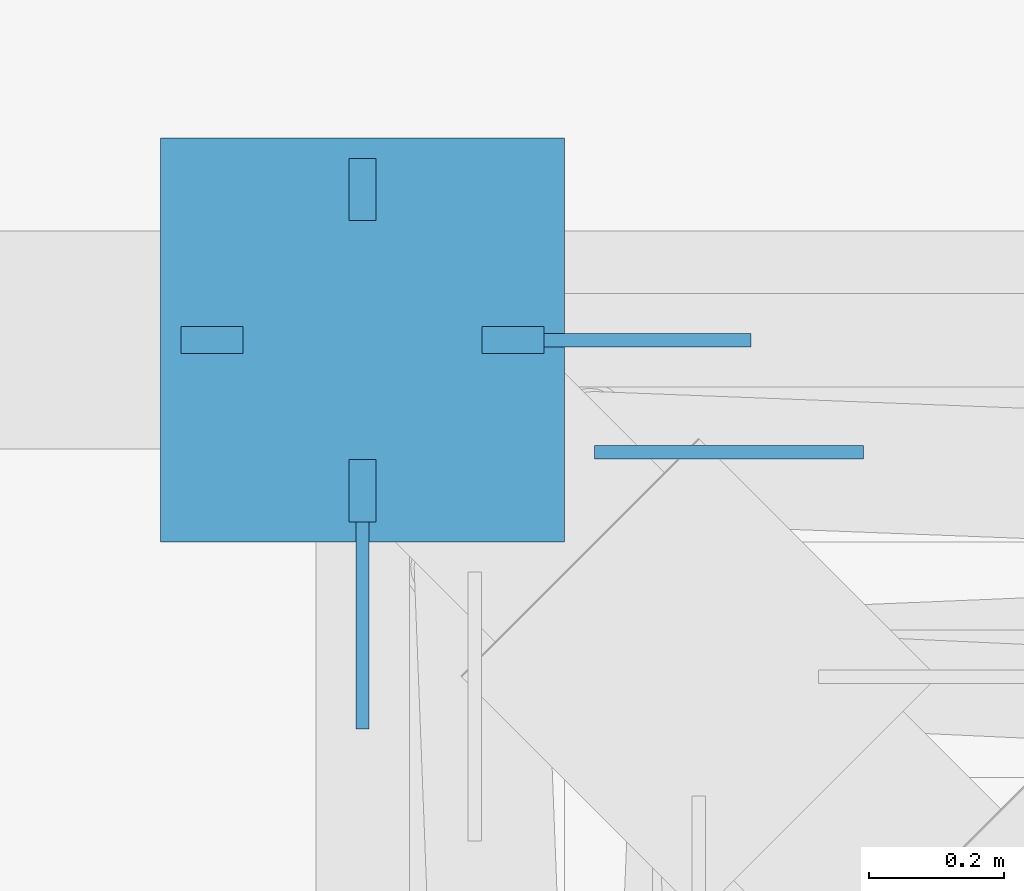
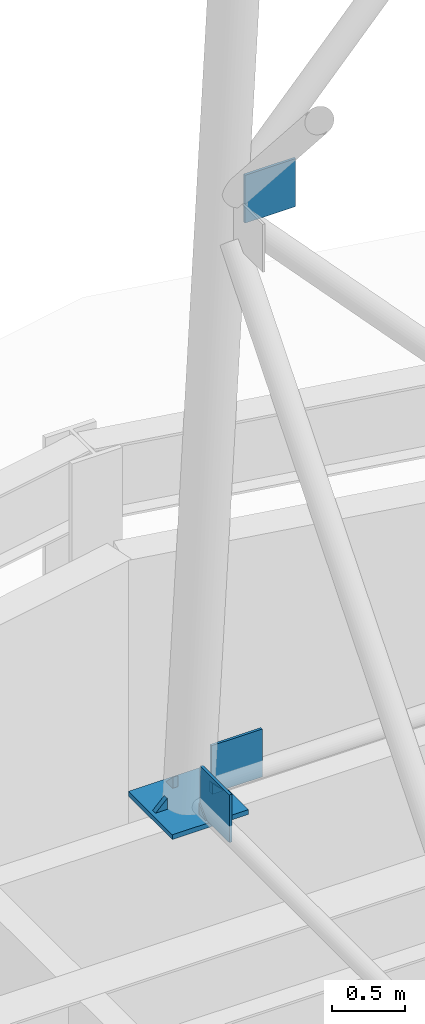
# One storey, part 11 of 15: 8 discrete accessories.
"""IFC4 building model written with IfcOpenShell, lengths in metres."""

from ifc_helpers import new_model, si_unit, direction, frame, origin, origin_2d, place, context, subcontext, project, spatial, polyline, rectangle, outline, extrude, material, layer, layer_set, material_profile, profile_set, type_object, element, save


model = new_model("IFC4")

# Units and contexts
model_context = context("Model", 3, precision=1e-05, world=origin(), true_north=direction((0.0, 1.0)))
body_context = subcontext(model_context, "Body", "Model", "MODEL_VIEW")
ifc_project = project(units=[si_unit("LENGTHUNIT", "METRE"), si_unit("AREAUNIT", "SQUARE_METRE"), si_unit("VOLUMEUNIT", "CUBIC_METRE"), si_unit("PLANEANGLEUNIT", "RADIAN"), si_unit("MASSUNIT", "GRAM", prefix="KILO")], contexts=[model_context])

# Site, building, storey
site_placement = place(None, origin())
site = spatial("IfcSite", under=ifc_project, at=site_placement, CompositionType="ELEMENT")
building_placement = place(site_placement, origin())
building = spatial("IfcBuilding", under=site, at=building_placement, Name="Immortelle Media Tower", CompositionType="ELEMENT")
storey_placement = place(building_placement, frame((0.0, 0.0, 308.0)))
storey = spatial("IfcBuildingStorey", under=building, at=storey_placement, Name="Roof", CompositionType="ELEMENT", Elevation=308.0)

# Discrete accessories
ifc_material_1 = material(Name="Structural steel S355J2 plate", Category="steel")
ifc_layer = layer(ifc_material_1, 0.0400390625)
ifc_layer_set = layer_set([ifc_layer], Name="Structural steel S355J2 plate")
discrete_accessory_type_1 = type_object("IfcDiscreteAccessoryType", Name="MAST base plate 600 x 600 x 40", PredefinedType="ANCHORPLATE", material=ifc_layer_set)
discrete_accessory_placement = place(storey_placement, frame((9.60009765625, 14.39990234375, 12.949951171875), z_axis=(0.0, 0.0, 1.0), x_axis=(1.0, 0.0, 0.0)))
element("IfcDiscreteAccessory", 1, at=discrete_accessory_placement, inside=storey, type_object=discrete_accessory_type_1, Name="MAST base plate D", PredefinedType="ANCHORPLATE", context=body_context, shape_type="SweptSolid", body=[
    extrude(rectangle(XDim=0.60009765625, YDim=0.60009765625, at=origin_2d()), origin(), (0.0, 0.0, 1.0), 0.0400390625),
])
ifc_material_2 = material(Name="Steel ASTM A572 Gr 50", Category="steel")
ifc_material_profile_1 = material_profile(ifc_material_2, rectangle(XDim=0.02001953125, YDim=0.39990234375, at=origin_2d()), Name="PL 20 x 400")
ifc_profile_set_1 = profile_set([ifc_material_profile_1], Name="Steel ASTM A572 Gr 50")
discrete_accessory_type_2 = type_object("IfcDiscreteAccessoryType", Name="Node plate GP4 400 x 400 x 20", PredefinedType="USERDEFINED", material=ifc_profile_set_1)
for number, where, z_axis, x_axis, name in (
    (2, (9.77783203125, 14.39990234375, 13.18994140625), (1.0, 0.0, 0.0), (0.0, 1.0, 0.0), "Node plate GP4, leg D, face 3, node 1"),
    (3, (9.944580078125, 14.2333984375, 17.989990234375), (1.0, 0.0, 0.0), (0.0, 1.0, 0.0), "Node plate GP4, leg D, face 3, node 2"),
    (4, (9.60009765625, 14.22216796875, 13.18994140625), (0.0, -1.0, 0.0), (1.0, 0.0, 0.0), "Node plate GP4, leg D, face 4, node 1"),
):
    element("IfcDiscreteAccessory", number, at=place(storey_placement, frame(where, z_axis=z_axis, x_axis=x_axis)), inside=storey, type_object=discrete_accessory_type_2, Name=name, ObjectType="NODE PLATE", PredefinedType="USERDEFINED", context=body_context, shape_type="SweptSolid", body=[
        extrude(rectangle(XDim=0.02001953125, YDim=0.39990234375, at=origin_2d()), origin(), (0.0, 0.0, 1.0), 0.39990234375),
    ])
ifc_material_profile_2 = material_profile(ifc_material_2, outline(polyline([(-0.177734375, 0.0), (-0.177734375, 0.09228515625), (-0.27001953125, 0.0), (-0.177734375, 0.0)])), Name="PL 40 x 92")
ifc_profile_set_2 = profile_set([ifc_material_profile_2], Name="Steel ASTM A572 Gr 50")
discrete_accessory_type_3 = type_object("IfcDiscreteAccessoryType", Name="Stiffener plate BSP1 92 x 92 x 40", PredefinedType="USERDEFINED", material=ifc_profile_set_2)
for number, where, z_axis, x_axis, name in (
    (5, (9.60009765625, 14.3798828125, 12.989990234375), (0.0, 1.0, 0.0), (-1.0, 0.0, 0.0), "Stiffener plate BSP1, leg D, 1"),
    (6, (9.6201171875, 14.39990234375, 12.989990234375), (-1.0, 0.0, 0.0), (0.0, -1.0, 0.0), "Stiffener plate BSP1, leg D, 2"),
    (7, (9.60009765625, 14.419921875, 12.989990234375), (0.0, -1.0, 0.0), (1.0, 0.0, 0.0), "Stiffener plate BSP1, leg D, 3"),
    (8, (9.580078125, 14.39990234375, 12.989990234375), (1.0, 0.0, 0.0), (0.0, 1.0, 0.0), "Stiffener plate BSP1, leg D, 4"),
):
    element("IfcDiscreteAccessory", number, at=place(storey_placement, frame(where, z_axis=z_axis, x_axis=x_axis)), inside=storey, type_object=discrete_accessory_type_3, Name=name, ObjectType="STIFFENER PLATE", PredefinedType="USERDEFINED", context=body_context, shape_type="SweptSolid", body=[
        extrude(outline(polyline([(-0.177734375, 0.0), (-0.177734375, 0.09228515625), (-0.27001953125, 0.0), (-0.177734375, 0.0)])), origin(), (0.0, 0.0, 1.0), 0.0400390625),
    ])

save(model, "model.ifc")
